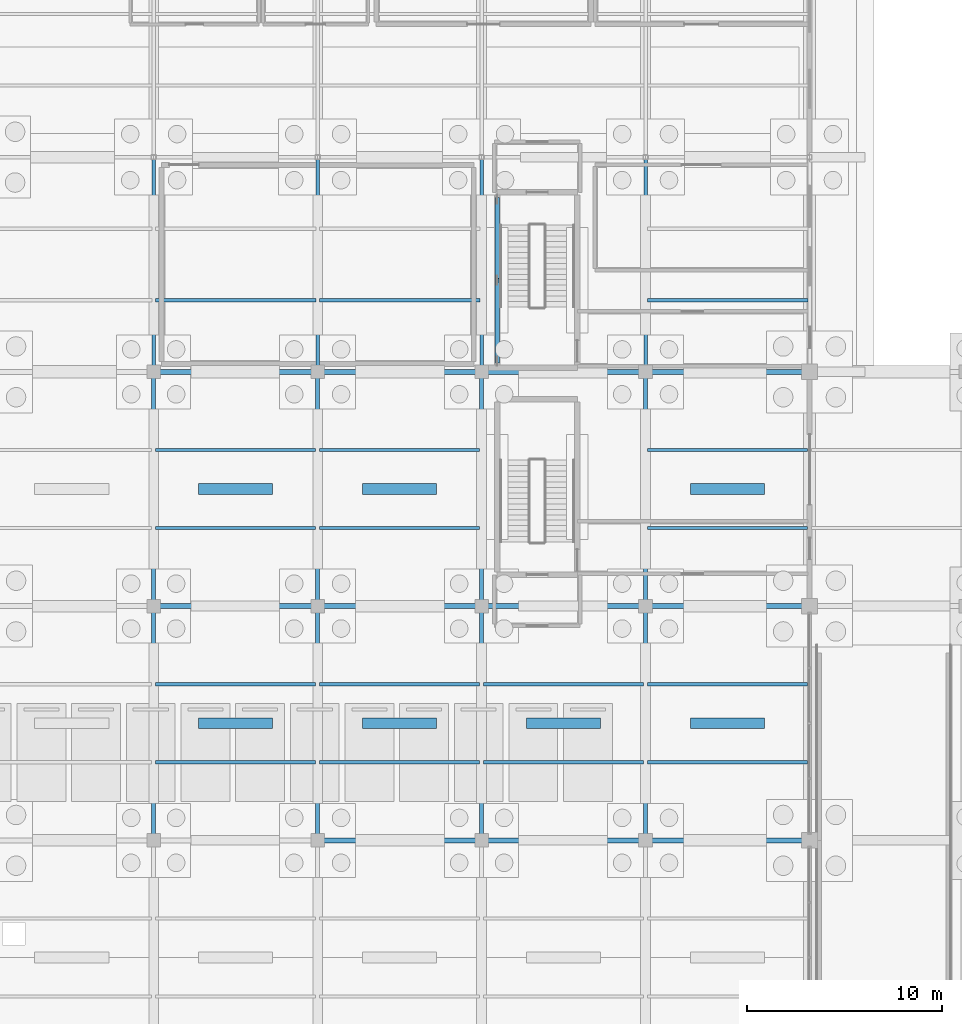
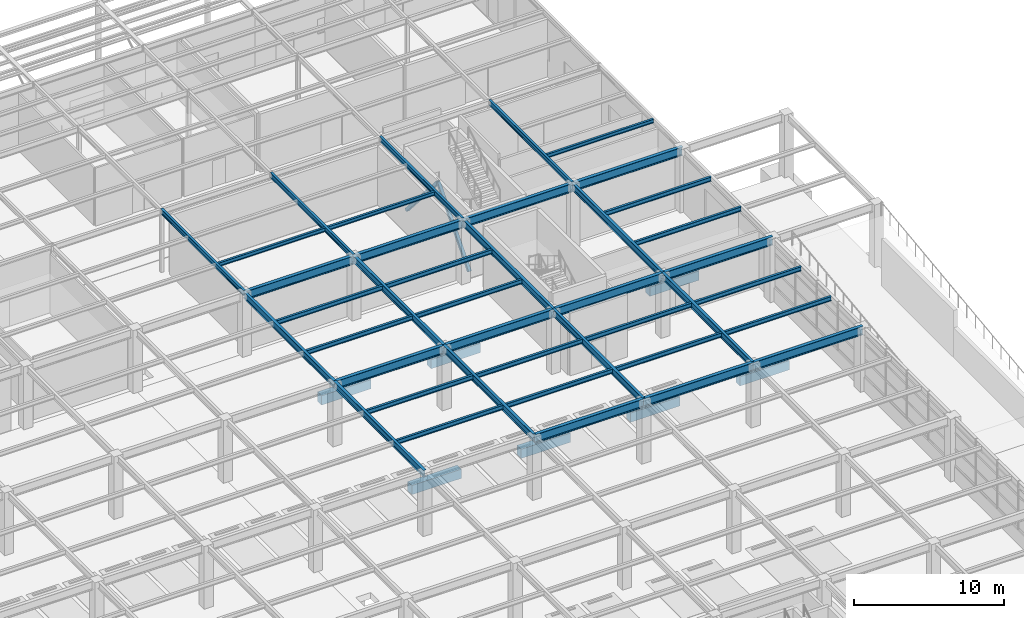
# One storey, part 68 of 129: 47 beams, 2 members.
"""IFC4 building model written with IfcOpenShell, lengths in metres."""

from ifc_helpers import new_model, si_unit, direction, frame, origin, origin_2d, place, context, subcontext, project, spatial, rectangle, hollow_rectangle, i_section, extrude, material, material_profile, profile_set, type_object, element, save


model = new_model("IFC4")

# Units and contexts
model_context = context("Model", 3, precision=1e-05, world=origin(), true_north=direction((0.0, 1.0)))
body_context = subcontext(model_context, "Body", "Model", "MODEL_VIEW")
ifc_project = project(units=[si_unit("LENGTHUNIT", "METRE"), si_unit("AREAUNIT", "SQUARE_METRE"), si_unit("VOLUMEUNIT", "CUBIC_METRE"), si_unit("PLANEANGLEUNIT", "RADIAN"), si_unit("MASSUNIT", "GRAM", prefix="KILO")], contexts=[model_context])

# Site, building, storey
site_placement = place(None, origin())
site = spatial("IfcSite", under=ifc_project, at=site_placement, CompositionType="ELEMENT")
building_placement = place(site_placement, origin())
building = spatial("IfcBuilding", under=site, at=building_placement, Name="Sitalva Quay Ferry Terminal", CompositionType="ELEMENT")
storey_placement = place(building_placement, origin())
storey = spatial("IfcBuildingStorey", under=building, at=storey_placement, Name="L01", CompositionType="ELEMENT", Elevation=0.0)

# Beams
ifc_material_1 = material(Name="Structural Steel S355JR", Category="steel")
ifc_material_profile_1 = material_profile(ifc_material_1, i_section(OverallWidth=0.180908203125, OverallDepth=0.4169921875, WebThickness=0.010986328125, FlangeThickness=0.018310546875, FilletRadius=0.012939453125, at=origin_2d()), Name="W410x85")
ifc_profile_set_1 = profile_set([ifc_material_profile_1], Name="Structural Steel S355JR")
beam_type_1 = type_object("IfcBeamType", Name="Beam_W410x85", PredefinedType="BEAM", material=ifc_profile_set_1)
for number, where, z_axis, x_axis, name in (
    (1, (134.39990234375, 78.0, 4.91162109375), (0.0, 1.0, 0.0), (-1.0, 0.0, 0.0), "L01 Primary Y girder 0545"),
    (2, (142.800048828125, 78.0, 4.91162109375), (0.0, 1.0, 0.0), (-1.0, 0.0, 0.0), "L01 Primary Y girder 0548"),
    (3, (151.199951171875, 78.0, 4.91162109375), (0.0, 1.0, 0.0), (-1.0, 0.0, 0.0), "L01 Primary Y girder 0551"),
    (4, (159.60009765625, 78.0, 4.91162109375), (0.0, 1.0, 0.0), (-1.0, 0.0, 0.0), "L01 Primary Y girder 0554"),
):
    element("IfcBeam", number, at=place(storey_placement, frame(where, z_axis=z_axis, x_axis=x_axis)), inside=storey, type_object=beam_type_1, Name=name, PredefinedType="BEAM", context=body_context, shape_type="SweptSolid", body=[
        extrude(i_section(OverallWidth=0.180908203125, OverallDepth=0.4169921875, WebThickness=0.010986328125, FlangeThickness=0.018310546875, FilletRadius=0.012939453125, at=origin_2d()), origin(), (0.0, 0.0, 1.0), 11.0),
    ])

# Members
ifc_material_2 = material(Name="Structural Steel S355JR", Category="steel")
ifc_material_profile_2 = material_profile(ifc_material_2, hollow_rectangle(XDim=0.25, YDim=0.25, WallThickness=0.012451171875, InnerFilletRadius=0.012451171875, OuterFilletRadius=0.02490234375, at=origin_2d()), Name="SHS250x250x12.5")
ifc_profile_set_2 = profile_set([ifc_material_profile_2], Name="Structural Steel S355JR")
member_type = type_object("IfcMemberType", Name="Brace_SHS250x12", PredefinedType="BRACE", material=ifc_profile_set_2)
member_1_placement = place(storey_placement, frame((152.0, 78.550048828125, 0.14990234375), z_axis=(0.0, 0.657934438932, 0.753075211428), x_axis=(-1.0, 0.0, 0.0)))
element("IfcMember", 5, at=member_1_placement, inside=storey, type_object=member_type, Name="Braced frame BF4 L01 chevron A", PredefinedType="BRACE", context=body_context, shape_type="SweptSolid", body=[
    extrude(hollow_rectangle(XDim=0.25, YDim=0.25, WallThickness=0.012451171875, InnerFilletRadius=0.012451171875, OuterFilletRadius=0.02490234375, at=origin_2d()), origin(), (0.0, 0.0, 1.0), 6.307373046875),
])
member_2_placement = place(storey_placement, frame((152.0, 82.699951171875, 4.89990234375), z_axis=(0.0, 0.657956389457, -0.753056033488), x_axis=(-1.0, 0.0, 0.0)))
element("IfcMember", 6, at=member_2_placement, inside=storey, type_object=member_type, Name="Braced frame BF4 L01 chevron B", PredefinedType="BRACE", context=body_context, shape_type="SweptSolid", body=[
    extrude(hollow_rectangle(XDim=0.25, YDim=0.25, WallThickness=0.012451171875, InnerFilletRadius=0.012451171875, OuterFilletRadius=0.02490234375, at=origin_2d()), origin(), (0.0, 0.0, 1.0), 6.3076171875),
])

# Beams
ifc_material_3 = material(Name="Structural Steel S355JR", Category="steel")
ifc_material_profile_3 = material_profile(ifc_material_3, i_section(OverallWidth=0.2119140625, OverallDepth=0.5439453125, WebThickness=0.01318359375, FlangeThickness=0.021240234375, FilletRadius=0.014892578125, at=origin_2d()), Name="W530x123")
ifc_profile_set_3 = profile_set([ifc_material_profile_3], Name="Structural Steel S355JR")
beam_type_2 = type_object("IfcBeamType", Name="Girder_W530x123", PredefinedType="USERDEFINED", material=ifc_profile_set_3)
for number, where, z_axis, x_axis, name in (
    (7, (134.39990234375, 54.0, 4.80810546875), (0.0, 1.0, 0.0), (-1.0, 0.0, 0.0), "L01 Primary Y girder 0318"),
    (8, (134.39990234375, 66.0, 4.80810546875), (0.0, 1.0, 0.0), (-1.0, 0.0, 0.0), "L01 Primary Y girder 0319"),
    (9, (142.800048828125, 54.0, 4.80810546875), (0.0, 1.0, 0.0), (-1.0, 0.0, 0.0), "L01 Primary Y girder 0323"),
    (10, (142.800048828125, 66.0, 4.80810546875), (0.0, 1.0, 0.0), (-1.0, 0.0, 0.0), "L01 Primary Y girder 0324"),
    (11, (151.199951171875, 54.0, 4.80810546875), (0.0, 1.0, 0.0), (-1.0, 0.0, 0.0), "L01 Primary Y girder 0328"),
    (12, (151.199951171875, 66.0, 4.80810546875), (0.0, 1.0, 0.0), (-1.0, 0.0, 0.0), "L01 Primary Y girder 0329"),
    (13, (159.60009765625, 54.0, 4.80810546875), (0.0, 1.0, 0.0), (-1.0, 0.0, 0.0), "L01 Primary Y girder 0333"),
    (14, (159.60009765625, 66.0, 4.80810546875), (0.0, 1.0, 0.0), (-1.0, 0.0, 0.0), "L01 Primary Y girder 0334"),
):
    element("IfcBeam", number, at=place(storey_placement, frame(where, z_axis=z_axis, x_axis=x_axis)), inside=storey, type_object=beam_type_2, Name=name, ObjectType="GIRDER", PredefinedType="USERDEFINED", context=body_context, shape_type="SweptSolid", body=[
        extrude(i_section(OverallWidth=0.2119140625, OverallDepth=0.5439453125, WebThickness=0.01318359375, FlangeThickness=0.021240234375, FilletRadius=0.014892578125, at=origin_2d()), origin(), (0.0, 0.0, 1.0), 12.0),
    ])
ifc_material_4 = material(Name="Structural Steel S355JR", Category="steel")
ifc_material_profile_4 = material_profile(ifc_material_4, i_section(OverallWidth=0.256103515625, OverallDepth=0.693115234375, WebThickness=0.014404296875, FlangeThickness=0.023681640625, FilletRadius=0.01806640625, at=origin_2d()), Name="W690x170")
ifc_profile_set_4 = profile_set([ifc_material_profile_4], Name="Structural Steel S355JR")
beam_type_3 = type_object("IfcBeamType", Name="Girder_W690x170", PredefinedType="USERDEFINED", material=ifc_profile_set_4)
beam_1_placement = place(storey_placement, frame((142.800048828125, 54.0, 4.7333984375), z_axis=(1.0, 0.0, 0.0), x_axis=(0.0, 1.0, 0.0)))
element("IfcBeam", 15, at=beam_1_placement, inside=storey, type_object=beam_type_3, Name="L01 Primary X girder 0264", ObjectType="GIRDER", PredefinedType="USERDEFINED", context=body_context, shape_type="SweptSolid", body=[
    extrude(i_section(OverallWidth=0.256103515625, OverallDepth=0.693115234375, WebThickness=0.014404296875, FlangeThickness=0.023681640625, FilletRadius=0.01806640625, at=origin_2d()), origin(), (0.0, 0.0, 1.0), 8.39990234375),
])
beam_2_placement = place(storey_placement, frame((151.199951171875, 54.0, 4.7333984375), z_axis=(1.0, 0.0, 0.0), x_axis=(0.0, 1.0, 0.0)))
element("IfcBeam", 16, at=beam_2_placement, inside=storey, type_object=beam_type_3, Name="L01 Primary X girder 0265", ObjectType="GIRDER", PredefinedType="USERDEFINED", context=body_context, shape_type="SweptSolid", body=[
    extrude(i_section(OverallWidth=0.256103515625, OverallDepth=0.693115234375, WebThickness=0.014404296875, FlangeThickness=0.023681640625, FilletRadius=0.01806640625, at=origin_2d()), origin(), (0.0, 0.0, 1.0), 8.400146484375),
])
beam_3_placement = place(storey_placement, frame((159.60009765625, 54.0, 4.7333984375), z_axis=(1.0, 0.0, 0.0), x_axis=(0.0, 1.0, 0.0)))
element("IfcBeam", 17, at=beam_3_placement, inside=storey, type_object=beam_type_3, Name="L01 Primary X girder 0266", ObjectType="GIRDER", PredefinedType="USERDEFINED", context=body_context, shape_type="SweptSolid", body=[
    extrude(i_section(OverallWidth=0.256103515625, OverallDepth=0.693115234375, WebThickness=0.014404296875, FlangeThickness=0.023681640625, FilletRadius=0.01806640625, at=origin_2d()), origin(), (0.0, 0.0, 1.0), 8.39990234375),
])
beam_4_placement = place(storey_placement, frame((134.39990234375, 66.0, 4.7333984375), z_axis=(1.0, 0.0, 0.0), x_axis=(0.0, 1.0, 0.0)))
element("IfcBeam", 18, at=beam_4_placement, inside=storey, type_object=beam_type_3, Name="L01 Primary X girder 0273", ObjectType="GIRDER", PredefinedType="USERDEFINED", context=body_context, shape_type="SweptSolid", body=[
    extrude(i_section(OverallWidth=0.256103515625, OverallDepth=0.693115234375, WebThickness=0.014404296875, FlangeThickness=0.023681640625, FilletRadius=0.01806640625, at=origin_2d()), origin(), (0.0, 0.0, 1.0), 8.400146484375),
])
beam_5_placement = place(storey_placement, frame((142.800048828125, 66.0, 4.7333984375), z_axis=(1.0, 0.0, 0.0), x_axis=(0.0, 1.0, 0.0)))
element("IfcBeam", 19, at=beam_5_placement, inside=storey, type_object=beam_type_3, Name="L01 Primary X girder 0274", ObjectType="GIRDER", PredefinedType="USERDEFINED", context=body_context, shape_type="SweptSolid", body=[
    extrude(i_section(OverallWidth=0.256103515625, OverallDepth=0.693115234375, WebThickness=0.014404296875, FlangeThickness=0.023681640625, FilletRadius=0.01806640625, at=origin_2d()), origin(), (0.0, 0.0, 1.0), 8.39990234375),
])
beam_6_placement = place(storey_placement, frame((151.199951171875, 66.0, 4.7333984375), z_axis=(1.0, 0.0, 0.0), x_axis=(0.0, 1.0, 0.0)))
element("IfcBeam", 20, at=beam_6_placement, inside=storey, type_object=beam_type_3, Name="L01 Primary X girder 0275", ObjectType="GIRDER", PredefinedType="USERDEFINED", context=body_context, shape_type="SweptSolid", body=[
    extrude(i_section(OverallWidth=0.256103515625, OverallDepth=0.693115234375, WebThickness=0.014404296875, FlangeThickness=0.023681640625, FilletRadius=0.01806640625, at=origin_2d()), origin(), (0.0, 0.0, 1.0), 8.400146484375),
])
beam_7_placement = place(storey_placement, frame((159.60009765625, 66.0, 4.7333984375), z_axis=(1.0, 0.0, 0.0), x_axis=(0.0, 1.0, 0.0)))
element("IfcBeam", 21, at=beam_7_placement, inside=storey, type_object=beam_type_3, Name="L01 Primary X girder 0276", ObjectType="GIRDER", PredefinedType="USERDEFINED", context=body_context, shape_type="SweptSolid", body=[
    extrude(i_section(OverallWidth=0.256103515625, OverallDepth=0.693115234375, WebThickness=0.014404296875, FlangeThickness=0.023681640625, FilletRadius=0.01806640625, at=origin_2d()), origin(), (0.0, 0.0, 1.0), 8.39990234375),
])
beam_8_placement = place(storey_placement, frame((134.39990234375, 78.0, 4.7333984375), z_axis=(1.0, 0.0, 0.0), x_axis=(0.0, 1.0, 0.0)))
element("IfcBeam", 22, at=beam_8_placement, inside=storey, type_object=beam_type_3, Name="L01 Primary X girder 0283", ObjectType="GIRDER", PredefinedType="USERDEFINED", context=body_context, shape_type="SweptSolid", body=[
    extrude(i_section(OverallWidth=0.256103515625, OverallDepth=0.693115234375, WebThickness=0.014404296875, FlangeThickness=0.023681640625, FilletRadius=0.01806640625, at=origin_2d()), origin(), (0.0, 0.0, 1.0), 8.400146484375),
])
beam_9_placement = place(storey_placement, frame((142.800048828125, 78.0, 4.7333984375), z_axis=(1.0, 0.0, 0.0), x_axis=(0.0, 1.0, 0.0)))
element("IfcBeam", 23, at=beam_9_placement, inside=storey, type_object=beam_type_3, Name="L01 Primary X girder 0284", ObjectType="GIRDER", PredefinedType="USERDEFINED", context=body_context, shape_type="SweptSolid", body=[
    extrude(i_section(OverallWidth=0.256103515625, OverallDepth=0.693115234375, WebThickness=0.014404296875, FlangeThickness=0.023681640625, FilletRadius=0.01806640625, at=origin_2d()), origin(), (0.0, 0.0, 1.0), 8.39990234375),
])
beam_10_placement = place(storey_placement, frame((151.199951171875, 78.0, 4.7333984375), z_axis=(1.0, 0.0, 0.0), x_axis=(0.0, 1.0, 0.0)))
element("IfcBeam", 24, at=beam_10_placement, inside=storey, type_object=beam_type_3, Name="L01 Primary X girder 0285", ObjectType="GIRDER", PredefinedType="USERDEFINED", context=body_context, shape_type="SweptSolid", body=[
    extrude(i_section(OverallWidth=0.256103515625, OverallDepth=0.693115234375, WebThickness=0.014404296875, FlangeThickness=0.023681640625, FilletRadius=0.01806640625, at=origin_2d()), origin(), (0.0, 0.0, 1.0), 8.400146484375),
])
beam_11_placement = place(storey_placement, frame((159.60009765625, 78.0, 4.7333984375), z_axis=(1.0, 0.0, 0.0), x_axis=(0.0, 1.0, 0.0)))
element("IfcBeam", 25, at=beam_11_placement, inside=storey, type_object=beam_type_3, Name="L01 Primary X girder 0286", ObjectType="GIRDER", PredefinedType="USERDEFINED", context=body_context, shape_type="SweptSolid", body=[
    extrude(i_section(OverallWidth=0.256103515625, OverallDepth=0.693115234375, WebThickness=0.014404296875, FlangeThickness=0.023681640625, FilletRadius=0.01806640625, at=origin_2d()), origin(), (0.0, 0.0, 1.0), 8.39990234375),
])
ifc_material_5 = material(Name="Structural Steel S355JR", Category="steel")
ifc_material_profile_5 = material_profile(ifc_material_5, i_section(OverallWidth=0.166015625, OverallDepth=0.31298828125, WebThickness=0.006591796875, FlangeThickness=0.01123046875, FilletRadius=0.010986328125, at=origin_2d()), Name="W310x45")
ifc_profile_set_5 = profile_set([ifc_material_profile_5], Name="Structural Steel S355JR")
beam_type_4 = type_object("IfcBeamType", Name="Joist_W310x45", PredefinedType="JOIST", material=ifc_profile_set_5)
beam_12_placement = place(storey_placement, frame((134.490478515625, 81.666748046875, 4.96337890625), z_axis=(1.0, 0.0, 0.0), x_axis=(0.0, 1.0, 0.0)))
element("IfcBeam", 26, at=beam_12_placement, inside=storey, type_object=beam_type_4, Name="L01 Secondary joist 0564", PredefinedType="JOIST", context=body_context, shape_type="SweptSolid", body=[
    extrude(i_section(OverallWidth=0.166015625, OverallDepth=0.31298828125, WebThickness=0.006591796875, FlangeThickness=0.01123046875, FilletRadius=0.010986328125, at=origin_2d()), origin(), (0.0, 0.0, 1.0), 8.218994140625),
])
beam_13_placement = place(storey_placement, frame((142.890380859375, 81.666748046875, 4.96337890625), z_axis=(1.0, 0.0, 0.0), x_axis=(0.0, 1.0, 0.0)))
element("IfcBeam", 27, at=beam_13_placement, inside=storey, type_object=beam_type_4, Name="L01 Secondary joist 0565", PredefinedType="JOIST", context=body_context, shape_type="SweptSolid", body=[
    extrude(i_section(OverallWidth=0.166015625, OverallDepth=0.31298828125, WebThickness=0.006591796875, FlangeThickness=0.01123046875, FilletRadius=0.010986328125, at=origin_2d()), origin(), (0.0, 0.0, 1.0), 8.21923828125),
])
beam_14_placement = place(storey_placement, frame((159.6904296875, 81.666748046875, 4.96337890625), z_axis=(1.0, 0.0, 0.0), x_axis=(0.0, 1.0, 0.0)))
element("IfcBeam", 28, at=beam_14_placement, inside=storey, type_object=beam_type_4, Name="L01 Secondary joist 0566", PredefinedType="JOIST", context=body_context, shape_type="SweptSolid", body=[
    extrude(i_section(OverallWidth=0.166015625, OverallDepth=0.31298828125, WebThickness=0.006591796875, FlangeThickness=0.01123046875, FilletRadius=0.010986328125, at=origin_2d()), origin(), (0.0, 0.0, 1.0), 8.218994140625),
])
ifc_material_6 = material(Name="Structural Steel S355JR", Category="steel")
ifc_material_profile_6 = material_profile(ifc_material_6, i_section(OverallWidth=0.172119140625, OverallDepth=0.35791015625, WebThickness=0.0078125, FlangeThickness=0.01318359375, FilletRadius=0.011962890625, at=origin_2d()), Name="W360x57")
ifc_profile_set_6 = profile_set([ifc_material_profile_6], Name="Structural Steel S355JR")
beam_type_5 = type_object("IfcBeamType", Name="Joist_W360x57", PredefinedType="JOIST", material=ifc_profile_set_6)
beam_15_placement = place(storey_placement, frame((134.5, 58.0, 4.90087890625), z_axis=(1.0, 0.0, 0.0), x_axis=(0.0, 1.0, 0.0)))
element("IfcBeam", 29, at=beam_15_placement, inside=storey, type_object=beam_type_5, Name="L01 Secondary joist 0404", PredefinedType="JOIST", context=body_context, shape_type="SweptSolid", body=[
    extrude(i_section(OverallWidth=0.172119140625, OverallDepth=0.35791015625, WebThickness=0.0078125, FlangeThickness=0.01318359375, FilletRadius=0.011962890625, at=origin_2d()), origin(), (0.0, 0.0, 1.0), 8.199951171875),
])
beam_16_placement = place(storey_placement, frame((142.89990234375, 58.0, 4.90087890625), z_axis=(1.0, 0.0, 0.0), x_axis=(0.0, 1.0, 0.0)))
element("IfcBeam", 30, at=beam_16_placement, inside=storey, type_object=beam_type_5, Name="L01 Secondary joist 0405", PredefinedType="JOIST", context=body_context, shape_type="SweptSolid", body=[
    extrude(i_section(OverallWidth=0.172119140625, OverallDepth=0.35791015625, WebThickness=0.0078125, FlangeThickness=0.01318359375, FilletRadius=0.011962890625, at=origin_2d()), origin(), (0.0, 0.0, 1.0), 8.2001953125),
])
for number, where, z_axis, x_axis, name in (
    (31, (151.300048828125, 58.0, 4.90087890625), (1.0, 0.0, 0.0), (0.0, 1.0, 0.0), "L01 Secondary joist 0406"),
    (32, (159.699951171875, 58.0, 4.90087890625), (1.0, 0.0, 0.0), (0.0, 1.0, 0.0), "L01 Secondary joist 0407"),
    (33, (134.5, 62.0, 4.90087890625), (1.0, 0.0, 0.0), (0.0, 1.0, 0.0), "L01 Secondary joist 0414"),
):
    element("IfcBeam", number, at=place(storey_placement, frame(where, z_axis=z_axis, x_axis=x_axis)), inside=storey, type_object=beam_type_5, Name=name, PredefinedType="JOIST", context=body_context, shape_type="SweptSolid", body=[
        extrude(i_section(OverallWidth=0.172119140625, OverallDepth=0.35791015625, WebThickness=0.0078125, FlangeThickness=0.01318359375, FilletRadius=0.011962890625, at=origin_2d()), origin(), (0.0, 0.0, 1.0), 8.199951171875),
    ])
beam_17_placement = place(storey_placement, frame((142.89990234375, 62.0, 4.90087890625), z_axis=(1.0, 0.0, 0.0), x_axis=(0.0, 1.0, 0.0)))
element("IfcBeam", 34, at=beam_17_placement, inside=storey, type_object=beam_type_5, Name="L01 Secondary joist 0415", PredefinedType="JOIST", context=body_context, shape_type="SweptSolid", body=[
    extrude(i_section(OverallWidth=0.172119140625, OverallDepth=0.35791015625, WebThickness=0.0078125, FlangeThickness=0.01318359375, FilletRadius=0.011962890625, at=origin_2d()), origin(), (0.0, 0.0, 1.0), 8.2001953125),
])
for number, where, z_axis, x_axis, name in (
    (35, (151.300048828125, 62.0, 4.90087890625), (1.0, 0.0, 0.0), (0.0, 1.0, 0.0), "L01 Secondary joist 0416"),
    (36, (159.699951171875, 62.0, 4.90087890625), (1.0, 0.0, 0.0), (0.0, 1.0, 0.0), "L01 Secondary joist 0417"),
    (37, (134.5, 70.0, 4.90087890625), (1.0, 0.0, 0.0), (0.0, 1.0, 0.0), "L01 Secondary joist 0424"),
):
    element("IfcBeam", number, at=place(storey_placement, frame(where, z_axis=z_axis, x_axis=x_axis)), inside=storey, type_object=beam_type_5, Name=name, PredefinedType="JOIST", context=body_context, shape_type="SweptSolid", body=[
        extrude(i_section(OverallWidth=0.172119140625, OverallDepth=0.35791015625, WebThickness=0.0078125, FlangeThickness=0.01318359375, FilletRadius=0.011962890625, at=origin_2d()), origin(), (0.0, 0.0, 1.0), 8.199951171875),
    ])
beam_18_placement = place(storey_placement, frame((142.89990234375, 70.0, 4.90087890625), z_axis=(1.0, 0.0, 0.0), x_axis=(0.0, 1.0, 0.0)))
element("IfcBeam", 38, at=beam_18_placement, inside=storey, type_object=beam_type_5, Name="L01 Secondary joist 0425", PredefinedType="JOIST", context=body_context, shape_type="SweptSolid", body=[
    extrude(i_section(OverallWidth=0.172119140625, OverallDepth=0.35791015625, WebThickness=0.0078125, FlangeThickness=0.01318359375, FilletRadius=0.011962890625, at=origin_2d()), origin(), (0.0, 0.0, 1.0), 8.2001953125),
])
for number, where, z_axis, x_axis, name in (
    (39, (159.699951171875, 70.0, 4.90087890625), (1.0, 0.0, 0.0), (0.0, 1.0, 0.0), "L01 Secondary joist 0426"),
    (40, (134.5, 74.0, 4.90087890625), (1.0, 0.0, 0.0), (0.0, 1.0, 0.0), "L01 Secondary joist 0433"),
):
    element("IfcBeam", number, at=place(storey_placement, frame(where, z_axis=z_axis, x_axis=x_axis)), inside=storey, type_object=beam_type_5, Name=name, PredefinedType="JOIST", context=body_context, shape_type="SweptSolid", body=[
        extrude(i_section(OverallWidth=0.172119140625, OverallDepth=0.35791015625, WebThickness=0.0078125, FlangeThickness=0.01318359375, FilletRadius=0.011962890625, at=origin_2d()), origin(), (0.0, 0.0, 1.0), 8.199951171875),
    ])
beam_19_placement = place(storey_placement, frame((142.89990234375, 74.0, 4.90087890625), z_axis=(1.0, 0.0, 0.0), x_axis=(0.0, 1.0, 0.0)))
element("IfcBeam", 41, at=beam_19_placement, inside=storey, type_object=beam_type_5, Name="L01 Secondary joist 0434", PredefinedType="JOIST", context=body_context, shape_type="SweptSolid", body=[
    extrude(i_section(OverallWidth=0.172119140625, OverallDepth=0.35791015625, WebThickness=0.0078125, FlangeThickness=0.01318359375, FilletRadius=0.011962890625, at=origin_2d()), origin(), (0.0, 0.0, 1.0), 8.2001953125),
])
beam_20_placement = place(storey_placement, frame((159.699951171875, 74.0, 4.90087890625), z_axis=(1.0, 0.0, 0.0), x_axis=(0.0, 1.0, 0.0)))
element("IfcBeam", 42, at=beam_20_placement, inside=storey, type_object=beam_type_5, Name="L01 Secondary joist 0435", PredefinedType="JOIST", context=body_context, shape_type="SweptSolid", body=[
    extrude(i_section(OverallWidth=0.172119140625, OverallDepth=0.35791015625, WebThickness=0.0078125, FlangeThickness=0.01318359375, FilletRadius=0.011962890625, at=origin_2d()), origin(), (0.0, 0.0, 1.0), 8.199951171875),
])
ifc_material_7 = material(Name="Concrete C35/45", Category="concrete")
ifc_material_profile_7 = material_profile(ifc_material_7, rectangle(XDim=0.550048828125, YDim=0.75, at=origin_2d()), Name="RC550x750")
ifc_profile_set_7 = profile_set([ifc_material_profile_7], Name="Concrete C35/45")
beam_type_6 = type_object("IfcBeamType", Name="TBeam_Quay_RC550x750", PredefinedType="T_BEAM", material=ifc_profile_set_7)
beam_21_placement = place(storey_placement, frame((136.699951171875, 60.0, -0.824951171875), z_axis=(1.0, 0.0, 0.0), x_axis=(0.0, 1.0, 0.0)))
element("IfcBeam", 43, at=beam_21_placement, inside=storey, type_object=beam_type_6, Name="L01 Ro-Ro quay deck T-beam 0095", PredefinedType="T_BEAM", context=body_context, shape_type="SweptSolid", body=[
    extrude(rectangle(XDim=0.550048828125, YDim=0.75, at=origin_2d()), origin(), (0.0, 0.0, 1.0), 3.800048828125),
])
beam_22_placement = place(storey_placement, frame((145.10009765625, 60.0, -0.824951171875), z_axis=(1.0, 0.0, 0.0), x_axis=(0.0, 1.0, 0.0)))
element("IfcBeam", 44, at=beam_22_placement, inside=storey, type_object=beam_type_6, Name="L01 Ro-Ro quay deck T-beam 0096", PredefinedType="T_BEAM", context=body_context, shape_type="SweptSolid", body=[
    extrude(rectangle(XDim=0.550048828125, YDim=0.75, at=origin_2d()), origin(), (0.0, 0.0, 1.0), 3.7998046875),
])
for number, where, z_axis, x_axis, name in (
    (45, (153.5, 60.0, -0.824951171875), (1.0, 0.0, 0.0), (0.0, 1.0, 0.0), "L01 Ro-Ro quay deck T-beam 0097"),
    (46, (161.89990234375, 60.0, -0.824951171875), (1.0, 0.0, 0.0), (0.0, 1.0, 0.0), "L01 Ro-Ro quay deck T-beam 0098"),
    (47, (136.699951171875, 72.0, -0.824951171875), (1.0, 0.0, 0.0), (0.0, 1.0, 0.0), "L01 Ro-Ro quay deck T-beam 0108"),
):
    element("IfcBeam", number, at=place(storey_placement, frame(where, z_axis=z_axis, x_axis=x_axis)), inside=storey, type_object=beam_type_6, Name=name, PredefinedType="T_BEAM", context=body_context, shape_type="SweptSolid", body=[
        extrude(rectangle(XDim=0.550048828125, YDim=0.75, at=origin_2d()), origin(), (0.0, 0.0, 1.0), 3.800048828125),
    ])
beam_23_placement = place(storey_placement, frame((145.10009765625, 72.0, -0.824951171875), z_axis=(1.0, 0.0, 0.0), x_axis=(0.0, 1.0, 0.0)))
element("IfcBeam", 48, at=beam_23_placement, inside=storey, type_object=beam_type_6, Name="L01 Ro-Ro quay deck T-beam 0109", PredefinedType="T_BEAM", context=body_context, shape_type="SweptSolid", body=[
    extrude(rectangle(XDim=0.550048828125, YDim=0.75, at=origin_2d()), origin(), (0.0, 0.0, 1.0), 3.7998046875),
])
beam_24_placement = place(storey_placement, frame((161.89990234375, 72.0, -0.824951171875), z_axis=(1.0, 0.0, 0.0), x_axis=(0.0, 1.0, 0.0)))
element("IfcBeam", 49, at=beam_24_placement, inside=storey, type_object=beam_type_6, Name="L01 Ro-Ro quay deck T-beam 0110", PredefinedType="T_BEAM", context=body_context, shape_type="SweptSolid", body=[
    extrude(rectangle(XDim=0.550048828125, YDim=0.75, at=origin_2d()), origin(), (0.0, 0.0, 1.0), 3.800048828125),
])

save(model, "model.ifc")
